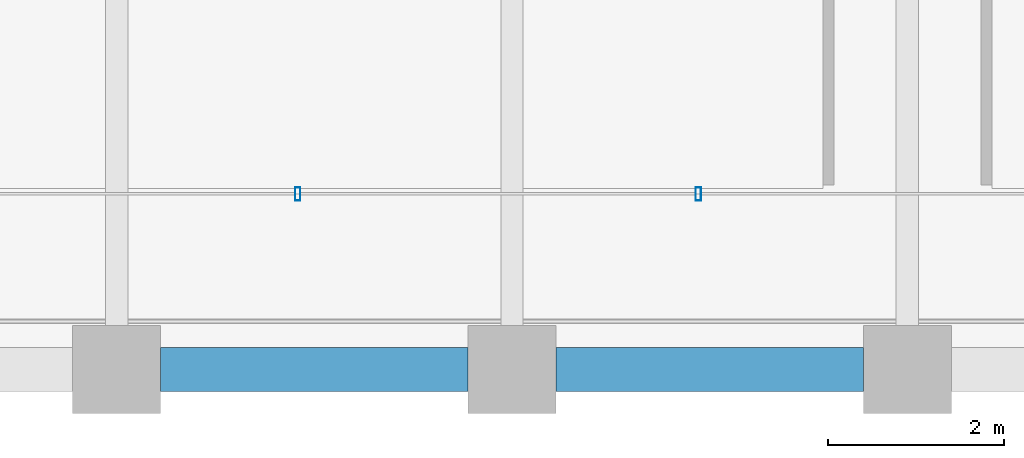
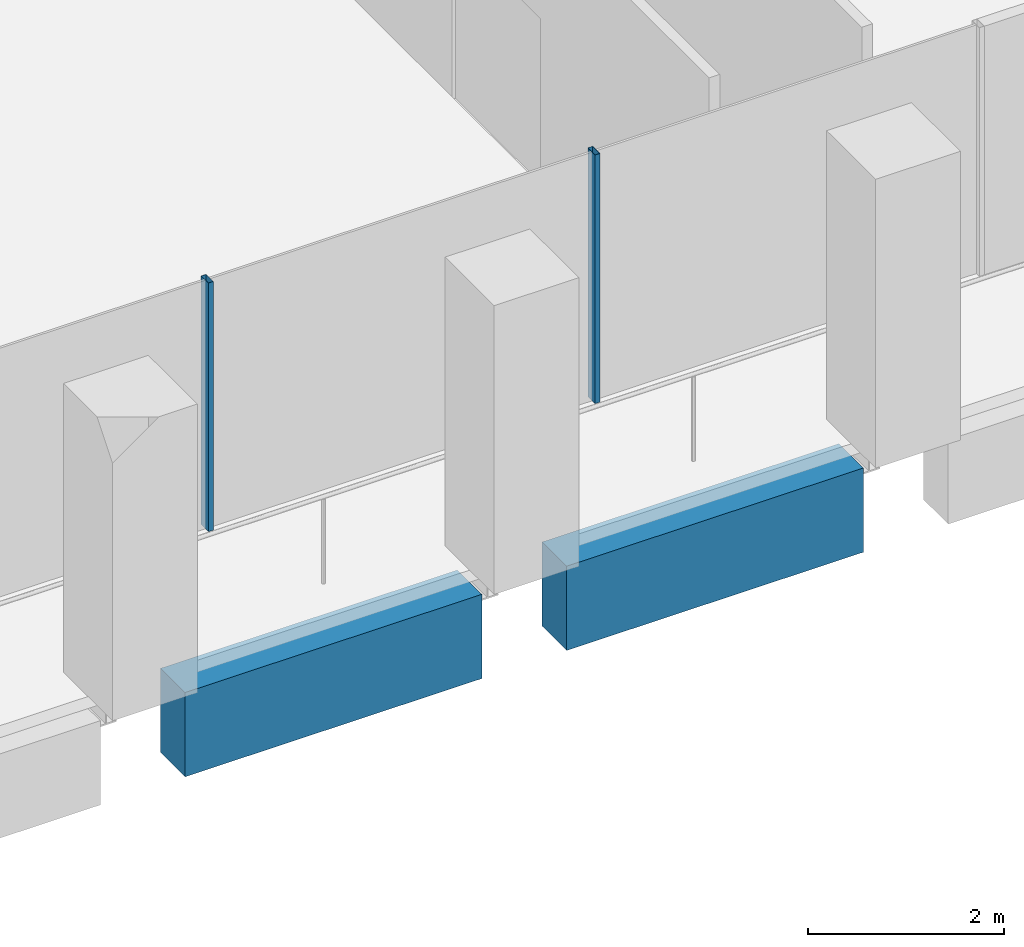
# One storey, part 3 of 46: 2 beams, 2 members, 1 element without a shape of its own.
"""IFC4 building model written with IfcOpenShell, lengths in metres."""

from ifc_helpers import new_model, si_unit, direction, frame, origin, origin_2d, place, context, subcontext, project, spatial, rectangle, hollow_rectangle, extrude, material, material_profile, profile_set, type_object, element, aggregate, save


model = new_model("IFC4")

# Units and contexts
model_context = context("Model", 3, precision=1e-05, world=origin(), true_north=direction((0.0, 1.0)))
body_context = subcontext(model_context, "Body", "Model", "MODEL_VIEW")
ifc_project = project(units=[si_unit("LENGTHUNIT", "METRE"), si_unit("AREAUNIT", "SQUARE_METRE"), si_unit("VOLUMEUNIT", "CUBIC_METRE"), si_unit("PLANEANGLEUNIT", "RADIAN"), si_unit("MASSUNIT", "GRAM", prefix="KILO")], contexts=[model_context])

# Site, building, storey
site_placement = place(None, origin())
site = spatial("IfcSite", under=ifc_project, at=site_placement, CompositionType="ELEMENT")
building_placement = place(site_placement, origin())
building = spatial("IfcBuilding", under=site, at=building_placement, Name="Altepetl Exchange Towers", CompositionType="ELEMENT")
storey_placement = place(building_placement, frame((0.0, 0.0, 131.60009765625)))
storey = spatial("IfcBuildingStorey", under=building, at=storey_placement, Name="L32", CompositionType="ELEMENT", Elevation=131.60009765625)

# Curtain wall, members
ifc_material_1 = material(Name="Aluminium 6063-T6 glazing", Category="aluminium")
curtain_wall_type = type_object("IfcCurtainWallType", Name="Loggia glazing system", PredefinedType="NOTDEFINED", material=ifc_material_1)
curtain_wall_placement = place(storey_placement, origin())
curtain_wall = element("IfcCurtainWall", 1, at=curtain_wall_placement, inside=storey, type_object=curtain_wall_type, Name="CW1 run", PredefinedType="NOTDEFINED")
ifc_material_2 = material(Name="Aluminium 6063-T6", Category="aluminium")
ifc_material_profile_1 = material_profile(ifc_material_2, hollow_rectangle(XDim=0.06005859375, YDim=0.14990234375, WallThickness=0.0029296875, at=origin_2d()), Name="Mullion 60x150 aluminium")
ifc_profile_set_1 = profile_set([ifc_material_profile_1], Name="Aluminium 6063-T6")
member_type = type_object("IfcMemberType", Name="Mullion 60x150 aluminium", PredefinedType="MULLION", material=ifc_profile_set_1)
member_1_placement = place(storey_placement, frame((38.060791015625, 29.0, 0.0)))
member_1 = element("IfcMember", 2, at=member_1_placement, type_object=member_type, Name="MU1 mullion", PredefinedType="MULLION", context=body_context, shape_type="SweptSolid", body=[
    extrude(hollow_rectangle(XDim=0.06005859375, YDim=0.14990234375, WallThickness=0.0029296875, at=origin_2d()), origin(), (0.0, 0.0, 1.0), 3.099853515625),
])
member_2_placement = place(storey_placement, frame((42.621337890625, 29.0, 0.0)))
member_2 = element("IfcMember", 3, at=member_2_placement, type_object=member_type, Name="MU1 mullion", PredefinedType="MULLION", context=body_context, shape_type="SweptSolid", body=[
    extrude(hollow_rectangle(XDim=0.06005859375, YDim=0.14990234375, WallThickness=0.0029296875, at=origin_2d()), origin(), (0.0, 0.0, 1.0), 3.099853515625),
])
aggregate(curtain_wall, [member_1, member_2])

# Beams
ifc_material_3 = material(Name="Concrete C50/60 precast with cantera blanca facing", Category="concrete")
ifc_material_profile_2 = material_profile(ifc_material_3, rectangle(XDim=0.5, YDim=1.050048828125, at=origin_2d()), Name="500 x 1050")
ifc_profile_set_2 = profile_set([ifc_material_profile_2], Name="Concrete C50/60 precast with cantera blanca facing")
beam_type = type_object("IfcBeamType", Name="Spandrel beam 500x1050 cantera blanca", PredefinedType="SPANDREL", material=ifc_profile_set_2)
for number, where, z_axis, x_axis, name in (
    (4, (36.5, 27.0, -0.675048828125), (1.0, 0.0, 0.0), (0.0, 1.0, 0.0), "sp:A:L32:001"),
    (5, (41.0, 27.0, -0.675048828125), (1.0, 0.0, 0.0), (0.0, 1.0, 0.0), "sp:A:L32:002"),
):
    element("IfcBeam", number, at=place(storey_placement, frame(where, z_axis=z_axis, x_axis=x_axis)), inside=storey, type_object=beam_type, Name=name, PredefinedType="SPANDREL", context=body_context, shape_type="SweptSolid", body=[
        extrude(rectangle(XDim=0.5, YDim=1.050048828125, at=origin_2d()), origin(), (0.0, 0.0, 1.0), 3.5),
    ])

save(model, "model.ifc")
